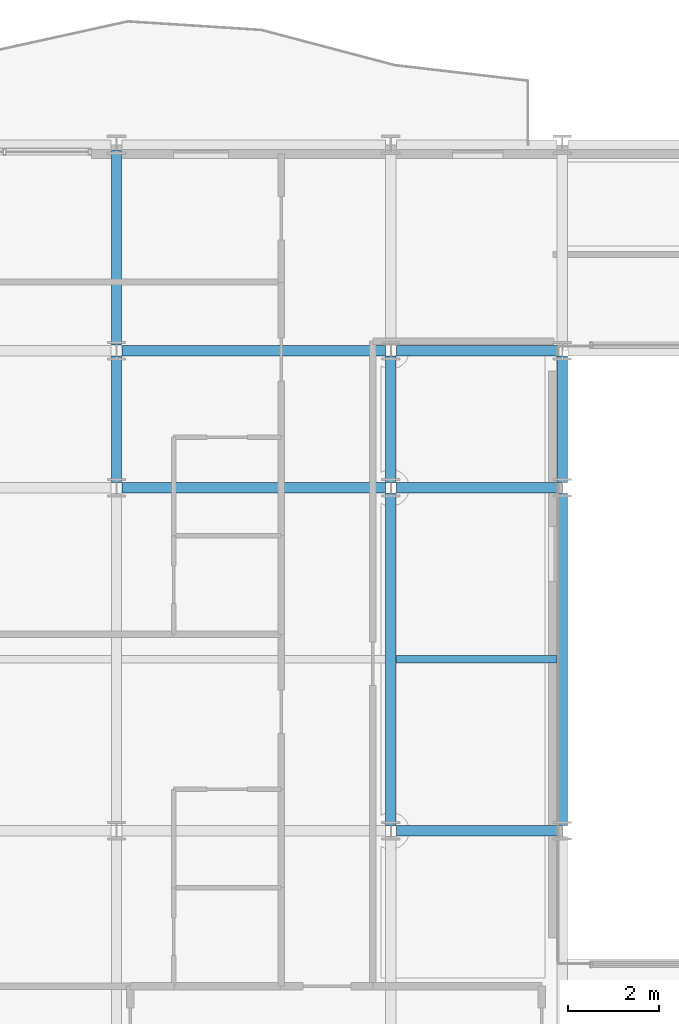
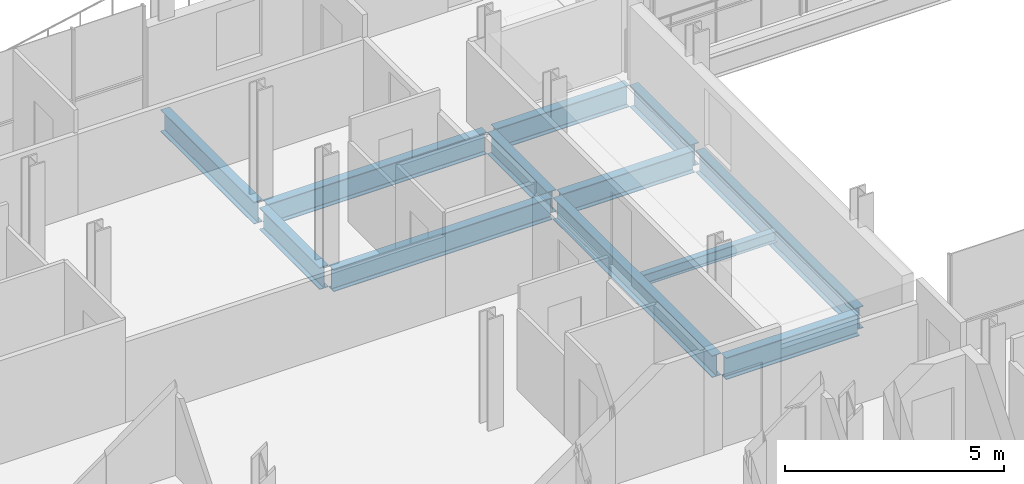
# One storey, part 10 of 41: 12 beams.
"""IFC4 building model written with IfcOpenShell, lengths in metres."""

import ifcopenshell
import ifcopenshell.guid

model = None  # the IFC model being written
_history = None  # IfcOwnerHistory: only IFC2X3 demands one
_inside = {}  # id of a spatial element -> (the spatial element, [elements in it])
_under = {}  # id of a project, library or spatial element -> (it, [spatial elements below it])
_declared = {}  # id of a project -> (the project, [libraries it declares])
_typed = {}  # id of a type object -> (the type object, [elements of that type])
_made_of = {}  # id of a material, layer set ... -> (it, [elements and type objects made of it])


def new_model(schema):
    """Start an empty IFC model of exactly this schema.

    Asked for "IFC4X3", IfcOpenShell would pick the latest addendum, in which some entities
    have other attributes; the version numbers below select the first issue.
    IFC2X3 requires an IfcOwnerHistory on every rooted entity: one is made here for all.
    """
    global model, _history
    if schema == "IFC4X3":
        model = ifcopenshell.file(schema_version=(4, 3, 0, 0))
    else:
        model = ifcopenshell.file(schema=schema)
    _inside.clear()
    _under.clear()
    _declared.clear()
    _typed.clear()
    _made_of.clear()
    _history = None
    if model.schema == "IFC2X3":
        org = make("IfcOrganization", Name="unknown")
        user = make(
            "IfcPersonAndOrganization",
            ThePerson=make("IfcPerson", FamilyName="unknown"),
            TheOrganization=org,
        )
        app = make(
            "IfcApplication",
            ApplicationDeveloper=org,
            Version="unknown",
            ApplicationFullName="unknown",
            ApplicationIdentifier="unknown",
        )
        _history = make(
            "IfcOwnerHistory",
            OwningUser=user,
            OwningApplication=app,
            ChangeAction="ADDED",
            CreationDate=0,
        )
    return model


def make(cls, **values):
    """One entity of the class cls with the attributes given. An attribute that is None is left unset."""
    return model.create_entity(
        cls, **{name: value for name, value in values.items() if value is not None}
    )


def rooted(cls, **values):
    """An entity with a GlobalId (a new one), such as an element, a storey or a relation."""
    return make(cls, GlobalId=ifcopenshell.guid.new(), OwnerHistory=_history, **values)


def si_unit(unit_type, name, prefix=None):
    """IfcSIUnit, for example si_unit("LENGTHUNIT", "METRE", prefix="MILLI")."""
    return make("IfcSIUnit", UnitType=unit_type, Prefix=prefix, Name=name)


def assignment(units):
    """IfcUnitAssignment: the units of a project."""
    return None if units is None else make("IfcUnitAssignment", Units=units)


def point(xyz):
    """IfcCartesianPoint."""
    return None if xyz is None else make("IfcCartesianPoint", Coordinates=xyz)


def direction(xyz):
    """IfcDirection."""
    return None if xyz is None else make("IfcDirection", DirectionRatios=xyz)


def frame(location, z_axis=None, x_axis=None):
    """IfcAxis2Placement3D, a coordinate frame: its origin and axes. An axis left out is left unset."""
    return make(
        "IfcAxis2Placement3D",
        Location=point(location),
        Axis=direction(z_axis),
        RefDirection=direction(x_axis),
    )


def frame_2d(location, x_axis=None):
    """IfcAxis2Placement2D, a coordinate frame in the plane: its origin and x axis."""
    return make(
        "IfcAxis2Placement2D", Location=point(location), RefDirection=direction(x_axis)
    )


def origin():
    """The frame at (0, 0, 0) with its axes left unset."""
    return frame((0.0, 0.0, 0.0))


def origin_2d():
    """The frame at (0, 0) in the plane with its x axis left unset."""
    return frame_2d((0.0, 0.0))


def place(relative_to, where):
    """IfcLocalPlacement: puts the frame where relative to a parent placement (None: the world)."""
    return make(
        "IfcLocalPlacement", PlacementRelTo=relative_to, RelativePlacement=where
    )


def context(
    kind, dimensions, precision=None, world=None, true_north=None, identifier=None
):
    """IfcGeometricRepresentationContext, for example the 3D "Model" context."""
    return make(
        "IfcGeometricRepresentationContext",
        ContextIdentifier=identifier,
        ContextType=kind,
        CoordinateSpaceDimension=dimensions,
        Precision=precision,
        WorldCoordinateSystem=world,
        TrueNorth=true_north,
    )


def subcontext(parent, identifier, kind, view, scale=None):
    """IfcGeometricRepresentationSubContext, for example "Body" below "Model"."""
    return make(
        "IfcGeometricRepresentationSubContext",
        ContextIdentifier=identifier,
        ContextType=kind,
        ParentContext=parent,
        TargetScale=scale,
        TargetView=view,
    )


def project(units=None, contexts=None):
    """IfcProject with its units and contexts."""
    return rooted(
        "IfcProject",
        Name="project",
        RepresentationContexts=contexts,
        UnitsInContext=assignment(units),
    )


def spatial(cls, under=None, at=None, **own):
    """A site, building, storey or space (cls), placed at a placement, below another one or the project."""
    s = rooted(cls, ObjectPlacement=at, **own)
    if under is not None:
        _under.setdefault(under.id(), (under, []))[1].append(s)
    return s


def profile(cls, at=None, kind="AREA", **sizes):
    """A parametric profile (cls). Its sizes go by their IFC names, for example OverallWidth=200.0."""
    return make(cls, ProfileType=kind, Position=at, **sizes)


def i_section(**sizes):
    """IfcIShapeProfileDef."""
    return profile("IfcIShapeProfileDef", **sizes)


def extrude(swept, where, along, depth):
    """IfcExtrudedAreaSolid: the profile swept, set in the frame where, extruded along a direction by depth."""
    return make(
        "IfcExtrudedAreaSolid",
        SweptArea=swept,
        Position=where,
        ExtrudedDirection=direction(along),
        Depth=depth,
    )


def shape(context_of_items, identifier, shape_type, items):
    """IfcShapeRepresentation: the items that make up one representation, for example the "Body"."""
    return make(
        "IfcShapeRepresentation",
        ContextOfItems=context_of_items,
        RepresentationIdentifier=identifier,
        RepresentationType=shape_type,
        Items=items,
    )


def material(Name=None, Category=None):
    """IfcMaterial."""
    return make("IfcMaterial", Name=Name, Category=Category)


def material_profile(
    of_material, cross_section, Name=None, Category=None, Priority=None
):
    """IfcMaterialProfile: a cross section and its material."""
    return make(
        "IfcMaterialProfile",
        Name=Name,
        Material=of_material,
        Profile=cross_section,
        Priority=Priority,
        Category=Category,
    )


def profile_set(profiles, Name=None, composite=None):
    """IfcMaterialProfileSet."""
    return make(
        "IfcMaterialProfileSet",
        Name=Name,
        MaterialProfiles=profiles,
        CompositeProfile=composite,
    )


def made_of(thing, what):
    """Note that an element or type object is made of a material, layer set ...; save() writes the relation."""
    if what is not None:
        _made_of.setdefault(what.id(), (what, []))[1].append(thing)
    return thing


def type_object(cls, material=None, **own):
    """A type object (cls), such as IfcWallType, which elements share."""
    return made_of(rooted(cls, **own), material)


def element(
    cls,
    number,
    at=None,
    inside=None,
    cuts=None,
    type_object=None,
    material=None,
    context=None,
    identifier="Body",
    shape_type=None,
    held_by="IfcProductDefinitionShape",
    body=None,
    shapes=None,
    **own,
):
    """One element of the class cls, such as IfcWall. Its Tag is "e" and its number.

    at: its placement. inside: the storey or other place that contains it. cuts: it is an
    opening in that element (IfcRelVoidsElement). A single representation is given by context,
    identifier, shape_type and body (its items); several are given by shapes. held_by: the class
    of the entity that holds the representations. save() writes the other relations.
    """
    e = rooted(cls, Tag="e%d" % number, ObjectPlacement=at, **own)
    if body is not None:
        shapes = [shape(context, identifier, shape_type, body)]
    if shapes is not None:
        e.Representation = make(held_by, Representations=shapes)
    if inside is not None:
        _inside.setdefault(inside.id(), (inside, []))[1].append(e)
    if cuts is not None:
        rooted(
            "IfcRelVoidsElement", RelatingBuildingElement=cuts, RelatedOpeningElement=e
        )
    if type_object is not None:
        _typed.setdefault(type_object.id(), (type_object, []))[1].append(e)
    return made_of(e, material)


def aggregate(whole, parts):
    """IfcRelAggregates: a whole, such as a stair, and the parts it consists of."""
    return rooted("IfcRelAggregates", RelatingObject=whole, RelatedObjects=parts)


def save(model, path):
    """Write the relations noted so far, then the file.

    IfcRelAggregates (storeys below a building ...), IfcRelContainedInSpatialStructure (elements
    in a storey), IfcRelDefinesByType, IfcRelAssociatesMaterial and IfcRelDeclares: one each for
    every whole, place, type object, material and project.
    """
    for whole, parts in _under.values():
        aggregate(whole, parts)
    for where, things in _inside.values():
        rooted(
            "IfcRelContainedInSpatialStructure",
            RelatedElements=things,
            RelatingStructure=where,
        )
    for kind, things in _typed.values():
        rooted("IfcRelDefinesByType", RelatedObjects=things, RelatingType=kind)
    for what, things in _made_of.values():
        rooted("IfcRelAssociatesMaterial", RelatedObjects=things, RelatingMaterial=what)
    for by, libraries in _declared.values():
        rooted("IfcRelDeclares", RelatingContext=by, RelatedDefinitions=libraries)
    model.write(path)


model = new_model("IFC4")

# Units and contexts
model_context = context("Model", 3, precision=1e-05, world=origin(), true_north=direction((0.0, 1.0)))
body_context = subcontext(model_context, "Body", "Model", "MODEL_VIEW")
ifc_project = project(units=[si_unit("LENGTHUNIT", "METRE"), si_unit("AREAUNIT", "SQUARE_METRE"), si_unit("VOLUMEUNIT", "CUBIC_METRE"), si_unit("PLANEANGLEUNIT", "RADIAN"), si_unit("MASSUNIT", "GRAM", prefix="KILO")], contexts=[model_context])

# Site, building, storey
site_placement = place(None, origin())
site = spatial("IfcSite", under=ifc_project, at=site_placement, CompositionType="ELEMENT")
building_placement = place(site_placement, origin())
building = spatial("IfcBuilding", under=site, at=building_placement, Name="Brevholm Reach", CompositionType="ELEMENT")
storey_placement = place(building_placement, frame((0.0, 0.0, 138.699951171875)))
storey = spatial("IfcBuildingStorey", under=building, at=storey_placement, Name="L41", CompositionType="ELEMENT", Elevation=138.699951171875)

# Beams
ifc_material_1 = material(Name="Structural Steel S355J2", Category="steel")
ifc_material_profile_1 = material_profile(ifc_material_1, i_section(OverallWidth=0.1650390625, OverallDepth=0.303466796875, WebThickness=0.006103515625, FlangeThickness=0.01025390625, FilletRadius=0.0087890625, at=origin_2d()), Name="UKB 305x165x40")
ifc_profile_set_1 = profile_set([ifc_material_profile_1], Name="Structural Steel S355J2")
beam_type_1 = type_object("IfcBeamType", Name="BM-B305", PredefinedType="BEAM", material=ifc_profile_set_1)
beam_1_placement = place(storey_placement, frame((18.114501953125, 19.75, -0.37158203125), z_axis=(1.0, 0.0, 0.0), x_axis=(0.0, 1.0, 0.0)))
element("IfcBeam", 1, at=beam_1_placement, inside=storey, type_object=beam_type_1, Name="L41 Composite Secondary Floor Beam", PredefinedType="BEAM", context=body_context, shape_type="SweptSolid", body=[
    extrude(i_section(OverallWidth=0.1650390625, OverallDepth=0.303466796875, WebThickness=0.006103515625, FlangeThickness=0.01025390625, FilletRadius=0.0087890625, at=origin_2d()), origin(), (0.0, 0.0, 1.0), 3.52099609375),
])
ifc_material_2 = material(Name="Structural Steel S355J2", Category="steel")
ifc_material_profile_2 = material_profile(ifc_material_2, i_section(OverallWidth=0.22900390625, OverallDepth=0.6123046875, WebThickness=0.011962890625, FlangeThickness=0.01953125, FilletRadius=0.0126953125, at=origin_2d()), Name="UKB 610x229x125")
ifc_profile_set_2 = profile_set([ifc_material_profile_2], Name="Structural Steel S355J2")
beam_type_2 = type_object("IfcBeamType", Name="BM-SP610", PredefinedType="SPANDREL", material=ifc_profile_set_2)
beam_2_placement = place(storey_placement, frame((18.1201171875, 16.0, -0.526123046875), z_axis=(1.0, 0.0, 0.0), x_axis=(0.0, 1.0, 0.0)))
element("IfcBeam", 2, at=beam_2_placement, inside=storey, type_object=beam_type_2, Name="L41 SP-01 Framing Beam", PredefinedType="SPANDREL", context=body_context, shape_type="SweptSolid", body=[
    extrude(i_section(OverallWidth=0.22900390625, OverallDepth=0.6123046875, WebThickness=0.011962890625, FlangeThickness=0.01953125, FilletRadius=0.0126953125, at=origin_2d()), origin(), (0.0, 0.0, 1.0), 3.509765625),
])
beam_3_placement = place(storey_placement, frame((12.1201171875, 23.5, -0.526123046875), z_axis=(1.0, 0.0, 0.0), x_axis=(0.0, 1.0, 0.0)))
element("IfcBeam", 3, at=beam_3_placement, inside=storey, type_object=beam_type_2, Name="L41 SP-01 Framing Beam", PredefinedType="SPANDREL", context=body_context, shape_type="SweptSolid", body=[
    extrude(i_section(OverallWidth=0.22900390625, OverallDepth=0.6123046875, WebThickness=0.011962890625, FlangeThickness=0.01953125, FilletRadius=0.0126953125, at=origin_2d()), origin(), (0.0, 0.0, 1.0), 5.759765625),
])
beam_4_placement = place(storey_placement, frame((18.1201171875, 23.5, -0.526123046875), z_axis=(1.0, 0.0, 0.0), x_axis=(0.0, 1.0, 0.0)))
element("IfcBeam", 4, at=beam_4_placement, inside=storey, type_object=beam_type_2, Name="L41 SP-01 Framing Beam", PredefinedType="SPANDREL", context=body_context, shape_type="SweptSolid", body=[
    extrude(i_section(OverallWidth=0.22900390625, OverallDepth=0.6123046875, WebThickness=0.011962890625, FlangeThickness=0.01953125, FilletRadius=0.0126953125, at=origin_2d()), origin(), (0.0, 0.0, 1.0), 3.509765625),
])
beam_5_placement = place(storey_placement, frame((12.1201171875, 26.5, -0.526123046875), z_axis=(1.0, 0.0, 0.0), x_axis=(0.0, 1.0, 0.0)))
element("IfcBeam", 5, at=beam_5_placement, inside=storey, type_object=beam_type_2, Name="L41 SP-01 Framing Beam", PredefinedType="SPANDREL", context=body_context, shape_type="SweptSolid", body=[
    extrude(i_section(OverallWidth=0.22900390625, OverallDepth=0.6123046875, WebThickness=0.011962890625, FlangeThickness=0.01953125, FilletRadius=0.0126953125, at=origin_2d()), origin(), (0.0, 0.0, 1.0), 5.759765625),
])
beam_6_placement = place(storey_placement, frame((18.1201171875, 26.5, -0.526123046875), z_axis=(1.0, 0.0, 0.0), x_axis=(0.0, 1.0, 0.0)))
element("IfcBeam", 6, at=beam_6_placement, inside=storey, type_object=beam_type_2, Name="L41 SP-01 Framing Beam", PredefinedType="SPANDREL", context=body_context, shape_type="SweptSolid", body=[
    extrude(i_section(OverallWidth=0.22900390625, OverallDepth=0.6123046875, WebThickness=0.011962890625, FlangeThickness=0.01953125, FilletRadius=0.0126953125, at=origin_2d()), origin(), (0.0, 0.0, 1.0), 3.509765625),
])
beam_7_placement = place(storey_placement, frame((12.0, 23.6201171875, -0.526123046875), z_axis=(0.0, 1.0, 0.0), x_axis=(-1.0, 0.0, 0.0)))
element("IfcBeam", 7, at=beam_7_placement, inside=storey, type_object=beam_type_2, Name="L41 SP-01 Framing Beam", PredefinedType="SPANDREL", context=body_context, shape_type="SweptSolid", body=[
    extrude(i_section(OverallWidth=0.22900390625, OverallDepth=0.6123046875, WebThickness=0.011962890625, FlangeThickness=0.01953125, FilletRadius=0.0126953125, at=origin_2d()), origin(), (0.0, 0.0, 1.0), 2.759765625),
])
beam_8_placement = place(storey_placement, frame((12.0, 26.6201171875, -0.526123046875), z_axis=(0.0, 1.0, 0.0), x_axis=(-1.0, 0.0, 0.0)))
element("IfcBeam", 8, at=beam_8_placement, inside=storey, type_object=beam_type_2, Name="L41 SP-01 Framing Beam", PredefinedType="SPANDREL", context=body_context, shape_type="SweptSolid", body=[
    extrude(i_section(OverallWidth=0.22900390625, OverallDepth=0.6123046875, WebThickness=0.011962890625, FlangeThickness=0.01953125, FilletRadius=0.0126953125, at=origin_2d()), origin(), (0.0, 0.0, 1.0), 4.259765625),
])
beam_9_placement = place(storey_placement, frame((18.0, 16.1201171875, -0.526123046875), z_axis=(0.0, 1.0, 0.0), x_axis=(-1.0, 0.0, 0.0)))
element("IfcBeam", 9, at=beam_9_placement, inside=storey, type_object=beam_type_2, Name="L41 SP-01 Framing Beam", PredefinedType="SPANDREL", context=body_context, shape_type="SweptSolid", body=[
    extrude(i_section(OverallWidth=0.22900390625, OverallDepth=0.6123046875, WebThickness=0.011962890625, FlangeThickness=0.01953125, FilletRadius=0.0126953125, at=origin_2d()), origin(), (0.0, 0.0, 1.0), 7.259765625),
])
beam_10_placement = place(storey_placement, frame((18.0, 23.6201171875, -0.526123046875), z_axis=(0.0, 1.0, 0.0), x_axis=(-1.0, 0.0, 0.0)))
element("IfcBeam", 10, at=beam_10_placement, inside=storey, type_object=beam_type_2, Name="L41 SP-01 Framing Beam", PredefinedType="SPANDREL", context=body_context, shape_type="SweptSolid", body=[
    extrude(i_section(OverallWidth=0.22900390625, OverallDepth=0.6123046875, WebThickness=0.011962890625, FlangeThickness=0.01953125, FilletRadius=0.0126953125, at=origin_2d()), origin(), (0.0, 0.0, 1.0), 2.759765625),
])
beam_11_placement = place(storey_placement, frame((21.75, 16.1201171875, -0.526123046875), z_axis=(0.0, 1.0, 0.0), x_axis=(-1.0, 0.0, 0.0)))
element("IfcBeam", 11, at=beam_11_placement, inside=storey, type_object=beam_type_2, Name="L41 SP-01 Framing Beam", PredefinedType="SPANDREL", context=body_context, shape_type="SweptSolid", body=[
    extrude(i_section(OverallWidth=0.22900390625, OverallDepth=0.6123046875, WebThickness=0.011962890625, FlangeThickness=0.01953125, FilletRadius=0.0126953125, at=origin_2d()), origin(), (0.0, 0.0, 1.0), 7.259765625),
])
beam_12_placement = place(storey_placement, frame((21.75, 23.6201171875, -0.526123046875), z_axis=(0.0, 1.0, 0.0), x_axis=(-1.0, 0.0, 0.0)))
element("IfcBeam", 12, at=beam_12_placement, inside=storey, type_object=beam_type_2, Name="L41 SP-01 Framing Beam", PredefinedType="SPANDREL", context=body_context, shape_type="SweptSolid", body=[
    extrude(i_section(OverallWidth=0.22900390625, OverallDepth=0.6123046875, WebThickness=0.011962890625, FlangeThickness=0.01953125, FilletRadius=0.0126953125, at=origin_2d()), origin(), (0.0, 0.0, 1.0), 2.759765625),
])

save(model, "model.ifc")
